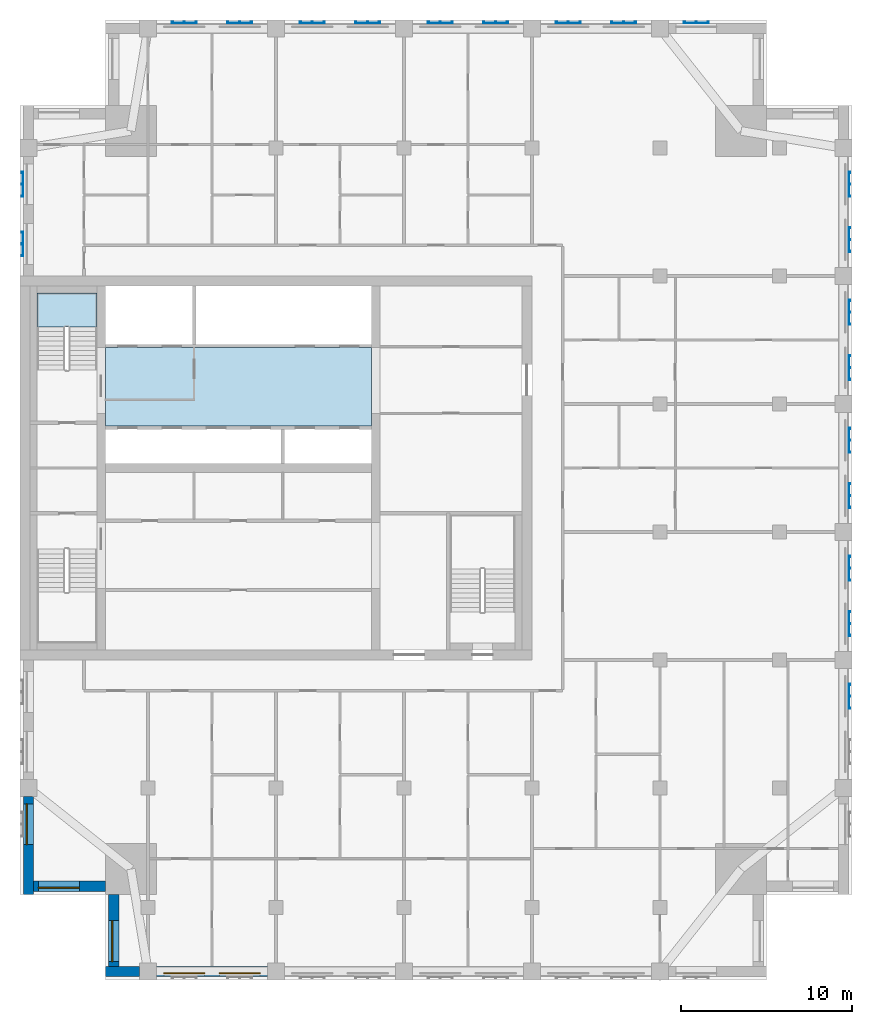
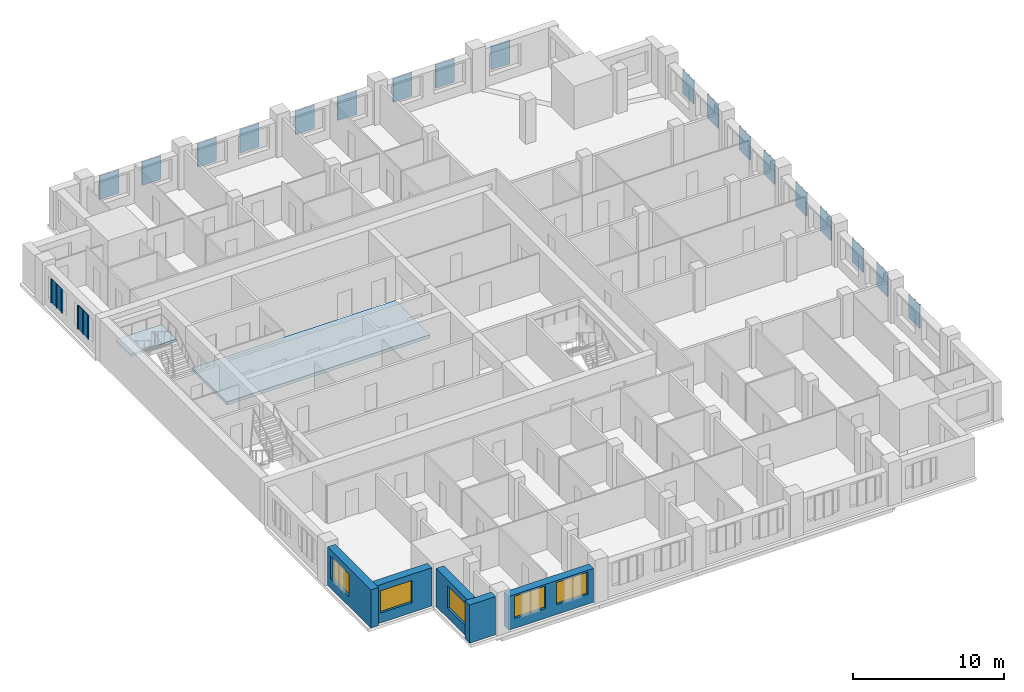
# One storey, part 2 of 11: 20 plates, 5 walls, 5 windows, 2 slabs, 5 openings, 1 element without a shape of its own.
"""IFC4 building model written with IfcOpenShell, lengths in metres."""

from ifc_helpers import new_model, si_unit, direction, frame, frame_2d, origin, place, context, subcontext, project, spatial, polyline, rectangle, outline, extrude, material, layer, layer_set, type_object, element, fill, aggregate, save


model = new_model("IFC4")

# Units and contexts
model_context = context("Model", 3, precision=1e-05, world=origin(), true_north=direction((0.0, 1.0)))
body_context = subcontext(model_context, "Body", "Model", "MODEL_VIEW")
ifc_project = project(units=[si_unit("LENGTHUNIT", "METRE"), si_unit("AREAUNIT", "SQUARE_METRE"), si_unit("VOLUMEUNIT", "CUBIC_METRE"), si_unit("PLANEANGLEUNIT", "RADIAN"), si_unit("MASSUNIT", "GRAM", prefix="KILO")], contexts=[model_context])

# Site, building, storey
site_placement = place(None, origin())
site = spatial("IfcSite", under=ifc_project, at=site_placement, CompositionType="ELEMENT")
building_placement = place(site_placement, origin())
building = spatial("IfcBuilding", under=site, at=building_placement, Name="Tamorin Gate", CompositionType="ELEMENT")
storey_placement = place(building_placement, frame((0.0, 0.0, 254.699951171875)))
storey = spatial("IfcBuildingStorey", under=building, at=storey_placement, Name="L64", CompositionType="ELEMENT", Elevation=254.699951171875)

# Slab
ifc_material_1 = material(Name="Concrete C40/50", Category="concrete")
ifc_layer_1 = layer(ifc_material_1, 0.25)
ifc_layer_set_1 = layer_set([ifc_layer_1], Name="Core floor slab 250 C40/50")
slab_type_1 = type_object("IfcSlabType", Name="Core floor slab 250 C40/50", PredefinedType="FLOOR", material=ifc_layer_set_1)
slab_1_placement = place(storey_placement, frame((0.0, 0.0, -0.25)))
element("IfcSlab", 1, at=slab_1_placement, inside=storey, type_object=slab_type_1, Name="Core floor L64", PredefinedType="FLOOR", context=body_context, shape_type="SweptSolid", body=[
    extrude(outline(polyline([(50.60009765625, 73.699951171875), (35.0, 73.699951171875), (35.0, 78.300048828125), (50.60009765625, 78.300048828125), (50.60009765625, 73.699951171875)])), origin(), (0.0, 0.0, 1.0), 0.25),
])

# Stair, slab
stair_type = type_object("IfcStairType", Name="Exit stair", PredefinedType="HALF_TURN_STAIR", material=ifc_material_1)
stair_placement = place(storey_placement, origin())
stair = element("IfcStair", 2, at=stair_placement, inside=storey, type_object=stair_type, Name="L64 stair ST2", PredefinedType="HALF_TURN_STAIR")
ifc_layer_2 = layer(ifc_material_1, 0.199951171875)
ifc_layer_set_2 = layer_set([ifc_layer_2], Name="Exit stair landing 200")
slab_type_2 = type_object("IfcSlabType", Name="Exit stair landing 200", PredefinedType="LANDING", material=ifc_layer_set_2)
slab_2_placement = place(storey_placement, frame((0.0, 0.0, 1.550048828125)))
slab_2 = element("IfcSlab", 3, at=slab_2_placement, type_object=slab_type_2, Name="ST2 landing 1", PredefinedType="LANDING", context=body_context, shape_type="SweptSolid", body=[
    extrude(outline(polyline([(34.5, 79.52001953125), (34.5, 81.5), (31.0, 81.5), (31.0, 79.52001953125), (34.5, 79.52001953125)])), origin(), (0.0, 0.0, 1.0), 0.199951171875),
])
aggregate(stair, [slab_2])

# Plates
ifc_material_2 = material(Name="Perforated pale aluminium sheet", Category="aluminium")
ifc_layer_3 = layer(ifc_material_2, 0.0400390625)
ifc_layer_set_3 = layer_set([ifc_layer_3], Name="Pale metal solar screen 1440")
plate_type = type_object("IfcPlateType", Name="Pale metal solar screen 1440", PredefinedType="SHEET", material=ifc_layer_set_3)
plate_1_placement = place(storey_placement, frame((0.0, 0.0, 0.737548828125)))
element("IfcPlate", 4, at=plate_1_placement, inside=storey, type_object=plate_type, Name="Perforated solar screen", PredefinedType="SHEET", context=body_context, shape_type="SweptSolid", body=[
    extrude(outline(polyline([(78.590087890625, 57.155029296875), (78.550048828125, 57.155029296875), (78.550048828125, 57.215087890625), (78.550048828125, 57.844970703125), (78.550048828125, 57.905029296875), (78.550048828125, 58.534912109375), (78.550048828125, 58.594970703125), (78.590087890625, 58.594970703125), (78.64990234375, 58.594970703125), (78.64990234375, 58.534912109375), (78.590087890625, 58.534912109375), (78.590087890625, 57.905029296875), (78.64990234375, 57.905029296875), (78.64990234375, 57.844970703125), (78.590087890625, 57.844970703125), (78.590087890625, 57.215087890625), (78.64990234375, 57.215087890625), (78.64990234375, 57.155029296875), (78.590087890625, 57.155029296875)])), origin(), (0.0, 0.0, 1.0), 1.925048828125),
])
plate_2_placement = place(storey_placement, frame((0.0, 0.0, 0.737548828125)))
element("IfcPlate", 5, at=plate_2_placement, inside=storey, type_object=plate_type, Name="Perforated solar screen", PredefinedType="SHEET", context=body_context, shape_type="SweptSolid", body=[
    extrude(outline(polyline([(78.590087890625, 61.405029296875), (78.550048828125, 61.405029296875), (78.550048828125, 61.465087890625), (78.550048828125, 62.094970703125), (78.550048828125, 62.155029296875), (78.550048828125, 62.784912109375), (78.550048828125, 62.844970703125), (78.590087890625, 62.844970703125), (78.64990234375, 62.844970703125), (78.64990234375, 62.784912109375), (78.590087890625, 62.784912109375), (78.590087890625, 62.155029296875), (78.64990234375, 62.155029296875), (78.64990234375, 62.094970703125), (78.590087890625, 62.094970703125), (78.590087890625, 61.465087890625), (78.64990234375, 61.465087890625), (78.64990234375, 61.405029296875), (78.590087890625, 61.405029296875)])), origin(), (0.0, 0.0, 1.0), 1.925048828125),
])
plate_3_placement = place(storey_placement, frame((0.0, 0.0, 0.737548828125)))
element("IfcPlate", 6, at=plate_3_placement, inside=storey, type_object=plate_type, Name="Perforated solar screen", PredefinedType="SHEET", context=body_context, shape_type="SweptSolid", body=[
    extrude(outline(polyline([(78.590087890625, 64.655029296875), (78.550048828125, 64.655029296875), (78.550048828125, 64.715087890625), (78.550048828125, 65.344970703125), (78.550048828125, 65.405029296875), (78.550048828125, 66.034912109375), (78.550048828125, 66.094970703125), (78.590087890625, 66.094970703125), (78.64990234375, 66.094970703125), (78.64990234375, 66.034912109375), (78.590087890625, 66.034912109375), (78.590087890625, 65.405029296875), (78.64990234375, 65.405029296875), (78.64990234375, 65.344970703125), (78.590087890625, 65.344970703125), (78.590087890625, 64.715087890625), (78.64990234375, 64.715087890625), (78.64990234375, 64.655029296875), (78.590087890625, 64.655029296875)])), origin(), (0.0, 0.0, 1.0), 1.925048828125),
])
plate_4_placement = place(storey_placement, frame((0.0, 0.0, 0.737548828125)))
element("IfcPlate", 7, at=plate_4_placement, inside=storey, type_object=plate_type, Name="Perforated solar screen", PredefinedType="SHEET", context=body_context, shape_type="SweptSolid", body=[
    extrude(outline(polyline([(78.590087890625, 68.905029296875), (78.550048828125, 68.905029296875), (78.550048828125, 68.965087890625), (78.550048828125, 69.594970703125), (78.550048828125, 69.655029296875), (78.550048828125, 70.284912109375), (78.550048828125, 70.344970703125), (78.590087890625, 70.344970703125), (78.64990234375, 70.344970703125), (78.64990234375, 70.284912109375), (78.590087890625, 70.284912109375), (78.590087890625, 69.655029296875), (78.64990234375, 69.655029296875), (78.64990234375, 69.594970703125), (78.590087890625, 69.594970703125), (78.590087890625, 68.965087890625), (78.64990234375, 68.965087890625), (78.64990234375, 68.905029296875), (78.590087890625, 68.905029296875)])), origin(), (0.0, 0.0, 1.0), 1.925048828125),
])
plate_5_placement = place(storey_placement, frame((0.0, 0.0, 0.737548828125)))
element("IfcPlate", 8, at=plate_5_placement, inside=storey, type_object=plate_type, Name="Perforated solar screen", PredefinedType="SHEET", context=body_context, shape_type="SweptSolid", body=[
    extrude(outline(polyline([(78.590087890625, 72.155029296875), (78.550048828125, 72.155029296875), (78.550048828125, 72.215087890625), (78.550048828125, 72.844970703125), (78.550048828125, 72.905029296875), (78.550048828125, 73.534912109375), (78.550048828125, 73.594970703125), (78.590087890625, 73.594970703125), (78.64990234375, 73.594970703125), (78.64990234375, 73.534912109375), (78.590087890625, 73.534912109375), (78.590087890625, 72.905029296875), (78.64990234375, 72.905029296875), (78.64990234375, 72.844970703125), (78.590087890625, 72.844970703125), (78.590087890625, 72.215087890625), (78.64990234375, 72.215087890625), (78.64990234375, 72.155029296875), (78.590087890625, 72.155029296875)])), origin(), (0.0, 0.0, 1.0), 1.925048828125),
])
plate_6_placement = place(storey_placement, frame((0.0, 0.0, 0.737548828125)))
element("IfcPlate", 9, at=plate_6_placement, inside=storey, type_object=plate_type, Name="Perforated solar screen", PredefinedType="SHEET", context=body_context, shape_type="SweptSolid", body=[
    extrude(outline(polyline([(78.590087890625, 76.405029296875), (78.550048828125, 76.405029296875), (78.550048828125, 76.465087890625), (78.550048828125, 77.094970703125), (78.550048828125, 77.155029296875), (78.550048828125, 77.784912109375), (78.550048828125, 77.844970703125), (78.590087890625, 77.844970703125), (78.64990234375, 77.844970703125), (78.64990234375, 77.784912109375), (78.590087890625, 77.784912109375), (78.590087890625, 77.155029296875), (78.64990234375, 77.155029296875), (78.64990234375, 77.094970703125), (78.590087890625, 77.094970703125), (78.590087890625, 76.465087890625), (78.64990234375, 76.465087890625), (78.64990234375, 76.405029296875), (78.590087890625, 76.405029296875)])), origin(), (0.0, 0.0, 1.0), 1.925048828125),
])
plate_7_placement = place(storey_placement, frame((0.0, 0.0, 0.737548828125)))
element("IfcPlate", 10, at=plate_7_placement, inside=storey, type_object=plate_type, Name="Perforated solar screen", PredefinedType="SHEET", context=body_context, shape_type="SweptSolid", body=[
    extrude(outline(polyline([(78.590087890625, 79.655029296875), (78.550048828125, 79.655029296875), (78.550048828125, 79.715087890625), (78.550048828125, 80.344970703125), (78.550048828125, 80.405029296875), (78.550048828125, 81.034912109375), (78.550048828125, 81.094970703125), (78.590087890625, 81.094970703125), (78.64990234375, 81.094970703125), (78.64990234375, 81.034912109375), (78.590087890625, 81.034912109375), (78.590087890625, 80.405029296875), (78.64990234375, 80.405029296875), (78.64990234375, 80.344970703125), (78.590087890625, 80.344970703125), (78.590087890625, 79.715087890625), (78.64990234375, 79.715087890625), (78.64990234375, 79.655029296875), (78.590087890625, 79.655029296875)])), origin(), (0.0, 0.0, 1.0), 1.925048828125),
])
plate_8_placement = place(storey_placement, frame((0.0, 0.0, 0.737548828125)))
element("IfcPlate", 11, at=plate_8_placement, inside=storey, type_object=plate_type, Name="Perforated solar screen", PredefinedType="SHEET", context=body_context, shape_type="SweptSolid", body=[
    extrude(outline(polyline([(78.590087890625, 83.905029296875), (78.550048828125, 83.905029296875), (78.550048828125, 83.965087890625), (78.550048828125, 84.594970703125), (78.550048828125, 84.655029296875), (78.550048828125, 85.284912109375), (78.550048828125, 85.344970703125), (78.590087890625, 85.344970703125), (78.64990234375, 85.344970703125), (78.64990234375, 85.284912109375), (78.590087890625, 85.284912109375), (78.590087890625, 84.655029296875), (78.64990234375, 84.655029296875), (78.64990234375, 84.594970703125), (78.590087890625, 84.594970703125), (78.590087890625, 83.965087890625), (78.64990234375, 83.965087890625), (78.64990234375, 83.905029296875), (78.590087890625, 83.905029296875)])), origin(), (0.0, 0.0, 1.0), 1.925048828125),
])
plate_9_placement = place(storey_placement, frame((0.0, 0.0, 0.737548828125)))
element("IfcPlate", 12, at=plate_9_placement, inside=storey, type_object=plate_type, Name="Perforated solar screen", PredefinedType="SHEET", context=body_context, shape_type="SweptSolid", body=[
    extrude(outline(polyline([(78.590087890625, 87.155029296875), (78.550048828125, 87.155029296875), (78.550048828125, 87.215087890625), (78.550048828125, 87.844970703125), (78.550048828125, 87.905029296875), (78.550048828125, 88.534912109375), (78.550048828125, 88.594970703125), (78.590087890625, 88.594970703125), (78.64990234375, 88.594970703125), (78.64990234375, 88.534912109375), (78.590087890625, 88.534912109375), (78.590087890625, 87.905029296875), (78.64990234375, 87.905029296875), (78.64990234375, 87.844970703125), (78.590087890625, 87.844970703125), (78.590087890625, 87.215087890625), (78.64990234375, 87.215087890625), (78.64990234375, 87.155029296875), (78.590087890625, 87.155029296875)])), origin(), (0.0, 0.0, 1.0), 1.925048828125),
])
plate_10_placement = place(storey_placement, frame((0.0, 0.0, 0.737548828125)))
element("IfcPlate", 13, at=plate_10_placement, inside=storey, type_object=plate_type, Name="Perforated solar screen", PredefinedType="SHEET", context=body_context, shape_type="SweptSolid", body=[
    extrude(outline(polyline([(70.344970703125, 97.340087890625), (70.344970703125, 97.300048828125), (70.284912109375, 97.300048828125), (69.655029296875, 97.300048828125), (69.594970703125, 97.300048828125), (68.965087890625, 97.300048828125), (68.905029296875, 97.300048828125), (68.905029296875, 97.300048828125), (68.905029296875, 97.340087890625), (68.905029296875, 97.340087890625), (68.905029296875, 97.39990234375), (68.965087890625, 97.39990234375), (68.965087890625, 97.340087890625), (69.594970703125, 97.340087890625), (69.594970703125, 97.39990234375), (69.655029296875, 97.39990234375), (69.655029296875, 97.340087890625), (70.284912109375, 97.340087890625), (70.284912109375, 97.39990234375), (70.344970703125, 97.39990234375), (70.344970703125, 97.340087890625)])), origin(), (0.0, 0.0, 1.0), 1.925048828125),
])
plate_11_placement = place(storey_placement, frame((0.0, 0.0, 0.737548828125)))
element("IfcPlate", 14, at=plate_11_placement, inside=storey, type_object=plate_type, Name="Perforated solar screen", PredefinedType="SHEET", context=body_context, shape_type="SweptSolid", body=[
    extrude(outline(polyline([(62.844970703125, 97.340087890625), (62.844970703125, 97.300048828125), (62.784912109375, 97.300048828125), (62.155029296875, 97.300048828125), (62.094970703125, 97.300048828125), (61.465087890625, 97.300048828125), (61.405029296875, 97.300048828125), (61.405029296875, 97.340087890625), (61.405029296875, 97.39990234375), (61.465087890625, 97.39990234375), (61.465087890625, 97.340087890625), (62.094970703125, 97.340087890625), (62.094970703125, 97.39990234375), (62.155029296875, 97.39990234375), (62.155029296875, 97.340087890625), (62.784912109375, 97.340087890625), (62.784912109375, 97.39990234375), (62.844970703125, 97.39990234375), (62.844970703125, 97.340087890625)])), origin(), (0.0, 0.0, 1.0), 1.925048828125),
])
plate_12_placement = place(storey_placement, frame((0.0, 0.0, 0.737548828125)))
element("IfcPlate", 15, at=plate_12_placement, inside=storey, type_object=plate_type, Name="Perforated solar screen", PredefinedType="SHEET", context=body_context, shape_type="SweptSolid", body=[
    extrude(outline(polyline([(66.094970703125, 97.340087890625), (66.094970703125, 97.300048828125), (66.034912109375, 97.300048828125), (65.405029296875, 97.300048828125), (65.344970703125, 97.300048828125), (64.715087890625, 97.300048828125), (64.655029296875, 97.300048828125), (64.655029296875, 97.340087890625), (64.655029296875, 97.39990234375), (64.715087890625, 97.39990234375), (64.715087890625, 97.340087890625), (65.344970703125, 97.340087890625), (65.344970703125, 97.39990234375), (65.405029296875, 97.39990234375), (65.405029296875, 97.340087890625), (66.034912109375, 97.340087890625), (66.034912109375, 97.39990234375), (66.094970703125, 97.39990234375), (66.094970703125, 97.340087890625)])), origin(), (0.0, 0.0, 1.0), 1.925048828125),
])
plate_13_placement = place(storey_placement, frame((0.0, 0.0, 0.737548828125)))
element("IfcPlate", 16, at=plate_13_placement, inside=storey, type_object=plate_type, Name="Perforated solar screen", PredefinedType="SHEET", context=body_context, shape_type="SweptSolid", body=[
    extrude(outline(polyline([(55.344970703125, 97.340087890625), (55.344970703125, 97.300048828125), (55.284912109375, 97.300048828125), (54.655029296875, 97.300048828125), (54.594970703125, 97.300048828125), (53.965087890625, 97.300048828125), (53.905029296875, 97.300048828125), (53.905029296875, 97.340087890625), (53.905029296875, 97.39990234375), (53.965087890625, 97.39990234375), (53.965087890625, 97.340087890625), (54.594970703125, 97.340087890625), (54.594970703125, 97.39990234375), (54.655029296875, 97.39990234375), (54.655029296875, 97.340087890625), (55.284912109375, 97.340087890625), (55.284912109375, 97.39990234375), (55.344970703125, 97.39990234375), (55.344970703125, 97.340087890625)])), origin(), (0.0, 0.0, 1.0), 1.925048828125),
])
plate_14_placement = place(storey_placement, frame((0.0, 0.0, 0.737548828125)))
element("IfcPlate", 17, at=plate_14_placement, inside=storey, type_object=plate_type, Name="Perforated solar screen", PredefinedType="SHEET", context=body_context, shape_type="SweptSolid", body=[
    extrude(outline(polyline([(58.594970703125, 97.340087890625), (58.594970703125, 97.300048828125), (58.534912109375, 97.300048828125), (57.905029296875, 97.300048828125), (57.844970703125, 97.300048828125), (57.215087890625, 97.300048828125), (57.155029296875, 97.300048828125), (57.155029296875, 97.340087890625), (57.155029296875, 97.39990234375), (57.215087890625, 97.39990234375), (57.215087890625, 97.340087890625), (57.844970703125, 97.340087890625), (57.844970703125, 97.39990234375), (57.905029296875, 97.39990234375), (57.905029296875, 97.340087890625), (58.534912109375, 97.340087890625), (58.534912109375, 97.39990234375), (58.594970703125, 97.39990234375), (58.594970703125, 97.340087890625)])), origin(), (0.0, 0.0, 1.0), 1.925048828125),
])
plate_15_placement = place(storey_placement, frame((0.0, 0.0, 0.737548828125)))
element("IfcPlate", 18, at=plate_15_placement, inside=storey, type_object=plate_type, Name="Perforated solar screen", PredefinedType="SHEET", context=body_context, shape_type="SweptSolid", body=[
    extrude(outline(polyline([(47.844970703125, 97.340087890625), (47.844970703125, 97.300048828125), (47.784912109375, 97.300048828125), (47.155029296875, 97.300048828125), (47.094970703125, 97.300048828125), (46.465087890625, 97.300048828125), (46.405029296875, 97.300048828125), (46.405029296875, 97.340087890625), (46.405029296875, 97.39990234375), (46.465087890625, 97.39990234375), (46.465087890625, 97.340087890625), (47.094970703125, 97.340087890625), (47.094970703125, 97.39990234375), (47.155029296875, 97.39990234375), (47.155029296875, 97.340087890625), (47.784912109375, 97.340087890625), (47.784912109375, 97.39990234375), (47.844970703125, 97.39990234375), (47.844970703125, 97.340087890625)])), origin(), (0.0, 0.0, 1.0), 1.925048828125),
])
plate_16_placement = place(storey_placement, frame((0.0, 0.0, 0.737548828125)))
element("IfcPlate", 19, at=plate_16_placement, inside=storey, type_object=plate_type, Name="Perforated solar screen", PredefinedType="SHEET", context=body_context, shape_type="SweptSolid", body=[
    extrude(outline(polyline([(51.094970703125, 97.340087890625), (51.094970703125, 97.300048828125), (51.034912109375, 97.300048828125), (50.405029296875, 97.300048828125), (50.344970703125, 97.300048828125), (49.715087890625, 97.300048828125), (49.655029296875, 97.300048828125), (49.655029296875, 97.340087890625), (49.655029296875, 97.39990234375), (49.715087890625, 97.39990234375), (49.715087890625, 97.340087890625), (50.344970703125, 97.340087890625), (50.344970703125, 97.39990234375), (50.405029296875, 97.39990234375), (50.405029296875, 97.340087890625), (51.034912109375, 97.340087890625), (51.034912109375, 97.39990234375), (51.094970703125, 97.39990234375), (51.094970703125, 97.340087890625)])), origin(), (0.0, 0.0, 1.0), 1.925048828125),
])
plate_17_placement = place(storey_placement, frame((0.0, 0.0, 0.737548828125)))
element("IfcPlate", 20, at=plate_17_placement, inside=storey, type_object=plate_type, Name="Perforated solar screen", PredefinedType="SHEET", context=body_context, shape_type="SweptSolid", body=[
    extrude(outline(polyline([(40.344970703125, 97.340087890625), (40.344970703125, 97.300048828125), (40.284912109375, 97.300048828125), (39.655029296875, 97.300048828125), (39.594970703125, 97.300048828125), (38.965087890625, 97.300048828125), (38.905029296875, 97.300048828125), (38.905029296875, 97.340087890625), (38.905029296875, 97.39990234375), (38.965087890625, 97.39990234375), (38.965087890625, 97.340087890625), (39.594970703125, 97.340087890625), (39.594970703125, 97.39990234375), (39.655029296875, 97.39990234375), (39.655029296875, 97.340087890625), (40.284912109375, 97.340087890625), (40.284912109375, 97.39990234375), (40.344970703125, 97.39990234375), (40.344970703125, 97.340087890625)])), origin(), (0.0, 0.0, 1.0), 1.925048828125),
])
plate_18_placement = place(storey_placement, frame((0.0, 0.0, 0.737548828125)))
element("IfcPlate", 21, at=plate_18_placement, inside=storey, type_object=plate_type, Name="Perforated solar screen", PredefinedType="SHEET", context=body_context, shape_type="SweptSolid", body=[
    extrude(outline(polyline([(43.594970703125, 97.340087890625), (43.594970703125, 97.300048828125), (43.534912109375, 97.300048828125), (42.905029296875, 97.300048828125), (42.844970703125, 97.300048828125), (42.215087890625, 97.300048828125), (42.155029296875, 97.300048828125), (42.155029296875, 97.340087890625), (42.155029296875, 97.39990234375), (42.215087890625, 97.39990234375), (42.215087890625, 97.340087890625), (42.844970703125, 97.340087890625), (42.844970703125, 97.39990234375), (42.905029296875, 97.39990234375), (42.905029296875, 97.340087890625), (43.534912109375, 97.340087890625), (43.534912109375, 97.39990234375), (43.594970703125, 97.39990234375), (43.594970703125, 97.340087890625)])), origin(), (0.0, 0.0, 1.0), 1.925048828125),
])
plate_19_placement = place(storey_placement, frame((0.0, 0.0, 0.737548828125)))
element("IfcPlate", 22, at=plate_19_placement, inside=storey, type_object=plate_type, Name="Perforated solar screen", PredefinedType="SHEET", context=body_context, shape_type="SweptSolid", body=[
    extrude(outline(polyline([(30.159912109375, 85.094970703125), (30.199951171875, 85.094970703125), (30.199951171875, 85.034912109375), (30.199951171875, 84.405029296875), (30.199951171875, 84.344970703125), (30.199951171875, 83.715087890625), (30.199951171875, 83.655029296875), (30.159912109375, 83.655029296875), (30.10009765625, 83.655029296875), (30.10009765625, 83.715087890625), (30.159912109375, 83.715087890625), (30.159912109375, 84.344970703125), (30.10009765625, 84.344970703125), (30.10009765625, 84.405029296875), (30.159912109375, 84.405029296875), (30.159912109375, 85.034912109375), (30.10009765625, 85.034912109375), (30.10009765625, 85.094970703125), (30.159912109375, 85.094970703125)])), origin(), (0.0, 0.0, 1.0), 1.925048828125),
])
plate_20_placement = place(storey_placement, frame((0.0, 0.0, 0.737548828125)))
element("IfcPlate", 23, at=plate_20_placement, inside=storey, type_object=plate_type, Name="Perforated solar screen", PredefinedType="SHEET", context=body_context, shape_type="SweptSolid", body=[
    extrude(outline(polyline([(30.159912109375, 88.594970703125), (30.199951171875, 88.594970703125), (30.199951171875, 88.534912109375), (30.199951171875, 87.905029296875), (30.199951171875, 87.844970703125), (30.199951171875, 87.215087890625), (30.199951171875, 87.155029296875), (30.199951171875, 87.155029296875), (30.159912109375, 87.155029296875), (30.159912109375, 87.155029296875), (30.10009765625, 87.155029296875), (30.10009765625, 87.215087890625), (30.159912109375, 87.215087890625), (30.159912109375, 87.844970703125), (30.10009765625, 87.844970703125), (30.10009765625, 87.905029296875), (30.159912109375, 87.905029296875), (30.159912109375, 88.534912109375), (30.10009765625, 88.534912109375), (30.10009765625, 88.594970703125), (30.159912109375, 88.594970703125)])), origin(), (0.0, 0.0, 1.0), 1.925048828125),
])

# Wall
ifc_material_3 = material(Name="Precast concrete C40/50", Category="concrete")
ifc_layer_4 = layer(ifc_material_3, 0.60009765625)
ifc_layer_set_4 = layer_set([ifc_layer_4], Name="Precast concrete C40/50")
wall_type = type_object("IfcWallType", Name="Board-marked concrete facade panel 600", PredefinedType="SOLIDWALL", material=ifc_layer_set_4)
wall_1_placement = place(storey_placement, frame((35.0, 41.75, 0.0), z_axis=(0.0, 0.0, 1.0), x_axis=(1.0, 0.0, 0.0)))
element("IfcWall", 24, at=wall_1_placement, inside=storey, type_object=wall_type, Name="Facade panel", PredefinedType="SOLIDWALL", context=body_context, shape_type="SweptSolid", body=[
    extrude(rectangle(XDim=2.0, YDim=0.60009765625, at=frame_2d((1.0, 0.0))), origin(), (0.0, 0.0, 1.0), 3.10009765625),
])

# Wall, openings, windows
wall_2_placement = place(storey_placement, frame((38.0, 41.75, 0.0), z_axis=(0.0, 0.0, 1.0), x_axis=(1.0, 0.0, 0.0)))
wall_2 = element("IfcWall", 25, at=wall_2_placement, inside=storey, type_object=wall_type, Name="Facade panel", PredefinedType="SOLIDWALL", context=body_context, shape_type="SweptSolid", body=[
    extrude(rectangle(XDim=6.5, YDim=0.60009765625, at=frame_2d((3.25, 0.0))), origin(), (0.0, 0.0, 1.0), 2.75),
])
opening_1_placement = place(wall_2_placement, frame((0.425048828125, 0.0, 0.800048828125)))
opening_1 = element("IfcOpeningElement", 26, at=opening_1_placement, cuts=wall_2, Name="Opening WN1", PredefinedType="OPENING", context=body_context, shape_type="SweptSolid", body=[
    extrude(rectangle(XDim=2.39990234375, YDim=1.800048828125, at=frame_2d((1.199951171875, 0.89990234375))), frame((0.0, 0.31005859375, 0.0), z_axis=(0.0, -1.0, 0.0), x_axis=(1.0, 0.0, 0.0)), (0.0, 0.0, 1.0), 0.6201171875),
])
opening_2_placement = place(wall_2_placement, frame((3.675048828125, 0.0, 0.800048828125)))
opening_2 = element("IfcOpeningElement", 27, at=opening_2_placement, cuts=wall_2, Name="Opening WN1", PredefinedType="OPENING", context=body_context, shape_type="SweptSolid", body=[
    extrude(rectangle(XDim=2.39990234375, YDim=1.800048828125, at=frame_2d((1.199951171875, 0.89990234375))), frame((0.0, 0.31005859375, 0.0), z_axis=(0.0, -1.0, 0.0), x_axis=(1.0, 0.0, 0.0)), (0.0, 0.0, 1.0), 0.6201171875),
])
ifc_material_4 = material(Name="Clear glass in aluminium frame", Category="aluminium")
window_type = type_object("IfcWindowType", Name="Deep-set window 2400x1800", PartitioningType="SINGLE_PANEL", PredefinedType="WINDOW", material=ifc_material_4)
window_1_placement = place(opening_1_placement, origin())
window_1 = element("IfcWindow", 28, at=window_1_placement, inside=storey, type_object=window_type, Name="Deep-set window", OverallHeight=1.800048828125, OverallWidth=2.39990234375, PartitioningType="SINGLE_PANEL", PredefinedType="WINDOW", context=body_context, shape_type="SweptSolid", body=[
    extrude(rectangle(XDim=2.39990234375, YDim=1.800048828125, at=frame_2d((1.199951171875, 0.89990234375))), frame((0.0, -0.070068359375, 0.0), z_axis=(0.0, -1.0, 0.0), x_axis=(1.0, 0.0, 0.0)), (0.0, 0.0, 1.0), 0.06005859375),
])
fill(opening_1, window_1)
window_2_placement = place(opening_2_placement, origin())
window_2 = element("IfcWindow", 29, at=window_2_placement, inside=storey, type_object=window_type, Name="Deep-set window", OverallHeight=1.800048828125, OverallWidth=2.39990234375, PartitioningType="SINGLE_PANEL", PredefinedType="WINDOW", context=body_context, shape_type="SweptSolid", body=[
    extrude(rectangle(XDim=2.39990234375, YDim=1.800048828125, at=frame_2d((1.199951171875, 0.89990234375))), frame((0.0, -0.070068359375, 0.0), z_axis=(0.0, -1.0, 0.0), x_axis=(1.0, 0.0, 0.0)), (0.0, 0.0, 1.0), 0.06005859375),
])
fill(opening_2, window_2)

# Wall, opening, window
wall_3_placement = place(storey_placement, frame((30.5, 52.0, 0.0), z_axis=(0.0, 0.0, 1.0), x_axis=(0.0, -1.0, 0.0)))
wall_3 = element("IfcWall", 30, at=wall_3_placement, inside=storey, type_object=wall_type, Name="Facade panel", PredefinedType="SOLIDWALL", context=body_context, shape_type="SweptSolid", body=[
    extrude(rectangle(XDim=5.75, YDim=0.60009765625, at=frame_2d((2.875, 0.0))), origin(), (0.0, 0.0, 1.0), 3.10009765625),
])
opening_3_placement = place(wall_3_placement, frame((0.425048828125, 0.0, 0.800048828125)))
opening_3 = element("IfcOpeningElement", 31, at=opening_3_placement, cuts=wall_3, Name="Opening WN1", PredefinedType="OPENING", context=body_context, shape_type="SweptSolid", body=[
    extrude(rectangle(XDim=2.39990234375, YDim=1.800048828125, at=frame_2d((1.199951171875, 0.89990234375))), frame((0.0, 0.31005859375, 0.0), z_axis=(0.0, -1.0, 0.0), x_axis=(1.0, 0.0, 0.0)), (0.0, 0.0, 1.0), 0.6201171875),
])
window_3_placement = place(opening_3_placement, origin())
window_3 = element("IfcWindow", 32, at=window_3_placement, inside=storey, type_object=window_type, Name="Deep-set window", OverallHeight=1.800048828125, OverallWidth=2.39990234375, PartitioningType="SINGLE_PANEL", PredefinedType="WINDOW", context=body_context, shape_type="SweptSolid", body=[
    extrude(rectangle(XDim=2.39990234375, YDim=1.800048828125, at=frame_2d((1.199951171875, 0.89990234375))), frame((0.0, -0.070068359375, 0.0), z_axis=(0.0, -1.0, 0.0), x_axis=(1.0, 0.0, 0.0)), (0.0, 0.0, 1.0), 0.06005859375),
])
fill(opening_3, window_3)

wall_4_placement = place(storey_placement, frame((30.800048828125, 46.75, 0.0), z_axis=(0.0, 0.0, 1.0), x_axis=(1.0, 0.0, 0.0)))
wall_4 = element("IfcWall", 33, at=wall_4_placement, inside=storey, type_object=wall_type, Name="Facade panel", PredefinedType="SOLIDWALL", context=body_context, shape_type="SweptSolid", body=[
    extrude(rectangle(XDim=4.199951171875, YDim=0.60009765625, at=frame_2d((2.10009765625, 0.0))), origin(), (0.0, 0.0, 1.0), 3.10009765625),
])
opening_4_placement = place(wall_4_placement, frame((0.27490234375, 0.0, 0.800048828125)))
opening_4 = element("IfcOpeningElement", 34, at=opening_4_placement, cuts=wall_4, Name="Opening WN1", PredefinedType="OPENING", context=body_context, shape_type="SweptSolid", body=[
    extrude(rectangle(XDim=2.39990234375, YDim=1.800048828125, at=frame_2d((1.199951171875, 0.89990234375))), frame((0.0, 0.31005859375, 0.0), z_axis=(0.0, -1.0, 0.0), x_axis=(1.0, 0.0, 0.0)), (0.0, 0.0, 1.0), 0.6201171875),
])
window_4_placement = place(opening_4_placement, origin())
window_4 = element("IfcWindow", 35, at=window_4_placement, inside=storey, type_object=window_type, Name="Deep-set window", OverallHeight=1.800048828125, OverallWidth=2.39990234375, PartitioningType="SINGLE_PANEL", PredefinedType="WINDOW", context=body_context, shape_type="SweptSolid", body=[
    extrude(rectangle(XDim=2.39990234375, YDim=1.800048828125, at=frame_2d((1.199951171875, 0.89990234375))), frame((0.0, -0.070068359375, 0.0), z_axis=(0.0, -1.0, 0.0), x_axis=(1.0, 0.0, 0.0)), (0.0, 0.0, 1.0), 0.06005859375),
])
fill(opening_4, window_4)

wall_5_placement = place(storey_placement, frame((35.5, 46.25, 0.0), z_axis=(0.0, 0.0, 1.0), x_axis=(0.0, -1.0, 0.0)))
wall_5 = element("IfcWall", 36, at=wall_5_placement, inside=storey, type_object=wall_type, Name="Facade panel", PredefinedType="SOLIDWALL", context=body_context, shape_type="SweptSolid", body=[
    extrude(rectangle(XDim=4.199951171875, YDim=0.60009765625, at=frame_2d((2.10009765625, 0.0))), origin(), (0.0, 0.0, 1.0), 3.10009765625),
])
opening_5_placement = place(wall_5_placement, frame((1.52490234375, 0.0, 0.800048828125)))
opening_5 = element("IfcOpeningElement", 37, at=opening_5_placement, cuts=wall_5, Name="Opening WN1", PredefinedType="OPENING", context=body_context, shape_type="SweptSolid", body=[
    extrude(rectangle(XDim=2.39990234375, YDim=1.800048828125, at=frame_2d((1.199951171875, 0.89990234375))), frame((0.0, 0.31005859375, 0.0), z_axis=(0.0, -1.0, 0.0), x_axis=(1.0, 0.0, 0.0)), (0.0, 0.0, 1.0), 0.6201171875),
])
window_5_placement = place(opening_5_placement, origin())
window_5 = element("IfcWindow", 38, at=window_5_placement, inside=storey, type_object=window_type, Name="Deep-set window", OverallHeight=1.800048828125, OverallWidth=2.39990234375, PartitioningType="SINGLE_PANEL", PredefinedType="WINDOW", context=body_context, shape_type="SweptSolid", body=[
    extrude(rectangle(XDim=2.39990234375, YDim=1.800048828125, at=frame_2d((1.199951171875, 0.89990234375))), frame((0.0, -0.070068359375, 0.0), z_axis=(0.0, -1.0, 0.0), x_axis=(1.0, 0.0, 0.0)), (0.0, 0.0, 1.0), 0.06005859375),
])
fill(opening_5, window_5)

save(model, "model.ifc")
